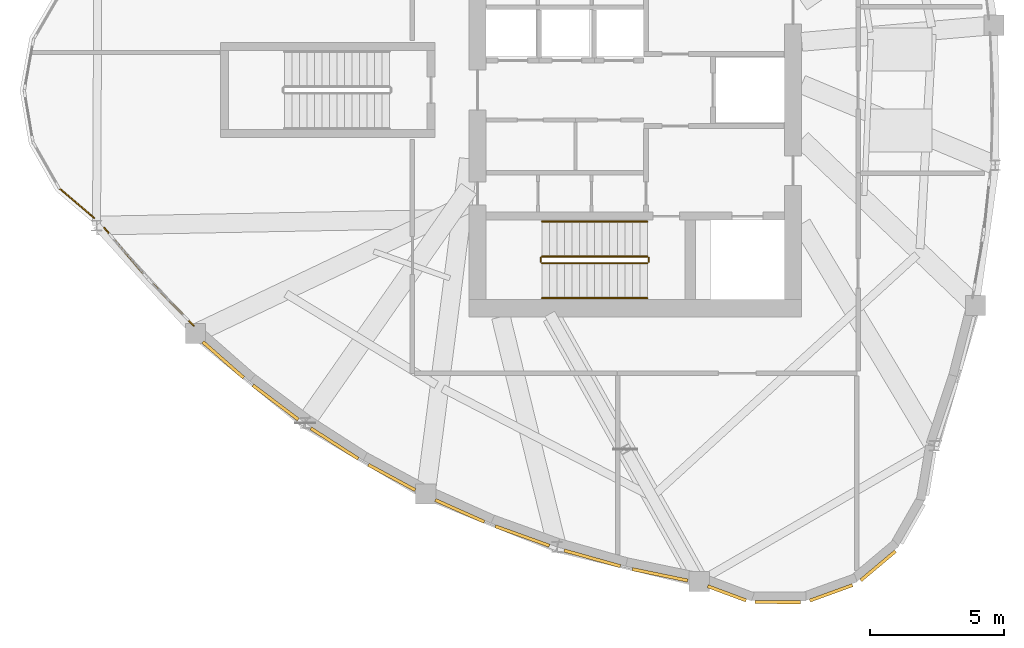
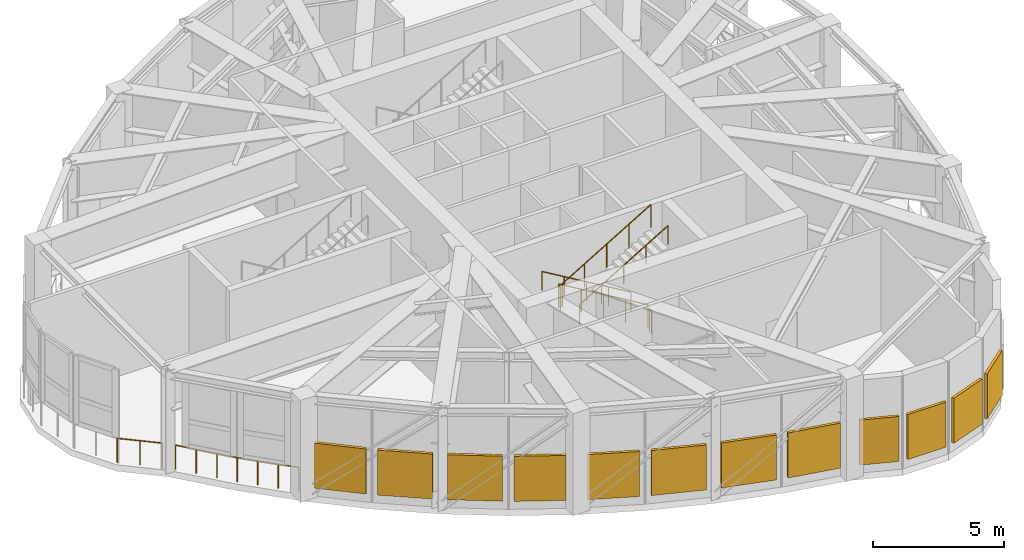
# One storey, part 8 of 10: 12 shading devices, 9 railings.
"""IFC4 building model written with IfcOpenShell, lengths in metres."""

from ifc_helpers import new_model, si_unit, direction, frame, origin, origin_2d, place, context, subcontext, project, spatial, rectangle, circle, extrude, source, transform, mapped, material, layer, layer_set, type_object, element, save


model = new_model("IFC4")

# Units and contexts
model_context = context("Model", 3, precision=1e-05, world=origin(), true_north=direction((0.0, 1.0)))
body_context = subcontext(model_context, "Body", "Model", "MODEL_VIEW")
ifc_project = project(units=[si_unit("LENGTHUNIT", "METRE"), si_unit("AREAUNIT", "SQUARE_METRE"), si_unit("VOLUMEUNIT", "CUBIC_METRE"), si_unit("PLANEANGLEUNIT", "RADIAN"), si_unit("MASSUNIT", "GRAM", prefix="KILO")], contexts=[model_context])

# Site, building, storey
site_placement = place(None, origin())
site = spatial("IfcSite", under=ifc_project, at=site_placement, CompositionType="ELEMENT")
building_placement = place(site_placement, origin())
building = spatial("IfcBuilding", under=site, at=building_placement, Name="Qafzar Sky-Pleat Residences", CompositionType="ELEMENT")
storey_placement = place(building_placement, frame((0.0, 0.0, 190.60009765625)))
storey = spatial("IfcBuildingStorey", under=building, at=storey_placement, Name="L57", CompositionType="ELEMENT", Elevation=190.60009765625)

# Railings
ifc_material_1 = material(Name="Galvanised and bronze-coated Steel S355 guardrail", Category="steel")
railing_type_1 = type_object("IfcRailingType", Name="RAIL-EXT-1150", PredefinedType="GUARDRAIL", material=ifc_material_1)
shared_shape_1 = source(origin(), body_context, "Body", "SweptSolid", [
    extrude(circle(Radius=0.02392578125, at=origin_2d()), frame((0.0, 0.0, 1.1259765625), z_axis=(0.760365090774, -0.649495903553, 0.0), x_axis=(0.649495903553, 0.760365090774, 0.0)), (0.0, 0.0, 1.0), 1.755126953125),
    extrude(circle(Radius=0.02099609375, at=origin_2d()), origin(), (0.0, 0.0, 1.0), 1.101806640625),
    extrude(circle(Radius=0.02099609375, at=origin_2d()), frame((0.667236328125, -0.56982421875, 0.0)), (0.0, 0.0, 1.0), 1.101806640625),
    extrude(circle(Radius=0.02099609375, at=origin_2d()), frame((1.33447265625, -1.139892578125, 0.0)), (0.0, 0.0, 1.0), 1.101806640625),
])
railing_1_placement = place(storey_placement, frame((8.868896484375, 22.37353515625, 0.0)))
element("IfcRailing", 1, at=railing_1_placement, inside=storey, type_object=railing_type_1, Name="L57 Wind-Turbine Slot Edge Guard 6", PredefinedType="GUARDRAIL", context=body_context, shape_type="MappedRepresentation", body=[
    mapped(shared_shape_1, transform((0.0, 0.0, 0.0), x_axis=(1.0, 0.0, 0.0), y_axis=(0.0, 1.0, 0.0), z_axis=(0.0, 0.0, 1.0), scale=1.0)),
])
shared_shape_2 = source(origin(), body_context, "Body", "SweptSolid", [
    extrude(circle(Radius=0.02392578125, at=origin_2d()), frame((0.0, 0.0, 1.1259765625), z_axis=(0.650261484481, -0.759710472352, 0.0), x_axis=(0.759710472352, 0.650261484481, 0.0)), (0.0, 0.0, 1.0), 2.5048828125),
    extrude(circle(Radius=0.02099609375, at=origin_2d()), origin(), (0.0, 0.0, 1.0), 1.101806640625),
    extrude(circle(Radius=0.02099609375, at=origin_2d()), frame((0.54296875, -0.63427734375, 0.0)), (0.0, 0.0, 1.0), 1.101806640625),
    extrude(circle(Radius=0.02099609375, at=origin_2d()), frame((1.0859375, -1.268798828125, 0.0)), (0.0, 0.0, 1.0), 1.101806640625),
    extrude(circle(Radius=0.02099609375, at=origin_2d()), frame((1.62890625, -1.903076171875, 0.0)), (0.0, 0.0, 1.0), 1.101806640625),
])
railing_2_placement = place(storey_placement, frame((10.573486328125, 20.86376953125, 0.0)))
element("IfcRailing", 2, at=railing_2_placement, inside=storey, type_object=railing_type_1, Name="L57 Wind-Turbine Slot Edge Guard 7", PredefinedType="GUARDRAIL", context=body_context, shape_type="MappedRepresentation", body=[
    mapped(shared_shape_2, transform((0.0, 0.0, 0.0), x_axis=(1.0, 0.0, 0.0), y_axis=(0.0, 1.0, 0.0), z_axis=(0.0, 0.0, 1.0), scale=1.0)),
])
shared_shape_3 = source(origin(), body_context, "Body", "SweptSolid", [
    extrude(circle(Radius=0.02392578125, at=origin_2d()), frame((0.0, 0.0, 1.1259765625), z_axis=(0.701548139699, -0.712622065112, 0.0), x_axis=(0.712622065112, 0.701548139699, 0.0)), (0.0, 0.0, 1.0), 2.447265625),
    extrude(circle(Radius=0.02099609375, at=origin_2d()), origin(), (0.0, 0.0, 1.0), 1.101806640625),
    extrude(circle(Radius=0.02099609375, at=origin_2d()), frame((0.572265625, -0.581298828125, 0.0)), (0.0, 0.0, 1.0), 1.101806640625),
    extrude(circle(Radius=0.02099609375, at=origin_2d()), frame((1.14453125, -1.16259765625, 0.0)), (0.0, 0.0, 1.0), 1.101806640625),
    extrude(circle(Radius=0.02099609375, at=origin_2d()), frame((1.716796875, -1.743896484375, 0.0)), (0.0, 0.0, 1.0), 1.101806640625),
])
railing_3_placement = place(storey_placement, frame((12.194580078125, 18.968994140625, 0.0)))
element("IfcRailing", 3, at=railing_3_placement, inside=storey, type_object=railing_type_1, Name="L57 Wind-Turbine Slot Edge Guard 8", PredefinedType="GUARDRAIL", context=body_context, shape_type="MappedRepresentation", body=[
    mapped(shared_shape_3, transform((0.0, 0.0, 0.0), x_axis=(1.0, 0.0, 0.0), y_axis=(0.0, 1.0, 0.0), z_axis=(0.0, 0.0, 1.0), scale=1.0)),
])

# Shading devices
ifc_material_2 = material(Name="Anodised bronze aluminium acoustic louvre", Category="aluminium")
ifc_layer = layer(ifc_material_2, 0.1201171875)
ifc_layer_set = layer_set([ifc_layer], Name="Anodised bronze aluminium acoustic louvre")
shading_device_type = type_object("IfcShadingDeviceType", Name="SHD-LOUVRE-PLANT", PredefinedType="JALOUSIE", material=ifc_layer_set)
shared_shape_4 = source(origin(), body_context, "Body", "SweptSolid", [
    extrude(rectangle(XDim=2.02099609375, YDim=0.1201171875, at=origin_2d()), origin(), (0.0, 0.0, 1.0), 2.10009765625),
])
shading_device_1_placement = place(storey_placement, frame((15.009033203125, 15.95068359375, 0.449951171875), z_axis=(0.0, 0.0, 1.0), x_axis=(0.751091134086, -0.66019853703, 0.0)))
element("IfcShadingDevice", 4, at=shading_device_1_placement, inside=storey, type_object=shading_device_type, Name="L57 Plant Acoustic Louvre 9", PredefinedType="JALOUSIE", context=body_context, shape_type="MappedRepresentation", body=[
    mapped(shared_shape_4, transform((0.0, 0.0, 0.0), x_axis=(1.0, 0.0, 0.0), y_axis=(0.0, 1.0, 0.0), z_axis=(0.0, 0.0, 1.0), scale=1.0)),
])
shared_shape_5 = source(origin(), body_context, "Body", "SweptSolid", [
    extrude(rectangle(XDim=2.113037109375, YDim=0.1201171875, at=origin_2d()), origin(), (0.0, 0.0, 1.0), 2.10009765625),
])
shading_device_2_placement = place(storey_placement, frame((16.955810546875, 14.3662109375, 0.449951171875), z_axis=(0.0, 0.0, 1.0), x_axis=(0.797987489772, -0.602674013184, 0.0)))
element("IfcShadingDevice", 5, at=shading_device_2_placement, inside=storey, type_object=shading_device_type, Name="L57 Plant Acoustic Louvre 10", PredefinedType="JALOUSIE", context=body_context, shape_type="MappedRepresentation", body=[
    mapped(shared_shape_5, transform((0.0, 0.0, 0.0), x_axis=(1.0, 0.0, 0.0), y_axis=(0.0, 1.0, 0.0), z_axis=(0.0, 0.0, 1.0), scale=1.0)),
])
shared_shape_6 = source(origin(), body_context, "Body", "SweptSolid", [
    extrude(rectangle(XDim=2.10107421875, YDim=0.1201171875, at=origin_2d()), origin(), (0.0, 0.0, 1.0), 2.10009765625),
])
shading_device_3_placement = place(storey_placement, frame((19.150390625, 12.8349609375, 0.449951171875), z_axis=(0.0, 0.0, 1.0), x_axis=(0.841189609029, -0.540740271907, 0.0)))
element("IfcShadingDevice", 6, at=shading_device_3_placement, inside=storey, type_object=shading_device_type, Name="L57 Plant Acoustic Louvre 11", PredefinedType="JALOUSIE", context=body_context, shape_type="MappedRepresentation", body=[
    mapped(shared_shape_6, transform((0.0, 0.0, 0.0), x_axis=(1.0, 0.0, 0.0), y_axis=(0.0, 1.0, 0.0), z_axis=(0.0, 0.0, 1.0), scale=1.0)),
])
shared_shape_7 = source(origin(), body_context, "Body", "SweptSolid", [
    extrude(rectangle(XDim=1.985107421875, YDim=0.1201171875, at=origin_2d()), origin(), (0.0, 0.0, 1.0), 2.10009765625),
])
shading_device_4_placement = place(storey_placement, frame((21.284912109375, 11.571533203125, 0.449951171875), z_axis=(0.0, 0.0, 1.0), x_axis=(0.879816754532, -0.475313032058, 0.0)))
element("IfcShadingDevice", 7, at=shading_device_4_placement, inside=storey, type_object=shading_device_type, Name="L57 Plant Acoustic Louvre 12", PredefinedType="JALOUSIE", context=body_context, shape_type="MappedRepresentation", body=[
    mapped(shared_shape_7, transform((0.0, 0.0, 0.0), x_axis=(1.0, 0.0, 0.0), y_axis=(0.0, 1.0, 0.0), z_axis=(0.0, 0.0, 1.0), scale=1.0)),
])
shared_shape_8 = source(origin(), body_context, "Body", "SweptSolid", [
    extrude(rectangle(XDim=1.9970703125, YDim=0.1201171875, at=origin_2d()), origin(), (0.0, 0.0, 1.0), 2.10009765625),
])
shading_device_5_placement = place(storey_placement, frame((23.81591796875, 10.32568359375, 0.449951171875), z_axis=(0.0, 0.0, 1.0), x_axis=(0.913164507785, -0.407591194363, 0.0)))
element("IfcShadingDevice", 8, at=shading_device_5_placement, inside=storey, type_object=shading_device_type, Name="L57 Plant Acoustic Louvre 13", PredefinedType="JALOUSIE", context=body_context, shape_type="MappedRepresentation", body=[
    mapped(shared_shape_8, transform((0.0, 0.0, 0.0), x_axis=(1.0, 0.0, 0.0), y_axis=(0.0, 1.0, 0.0), z_axis=(0.0, 0.0, 1.0), scale=1.0)),
])
shared_shape_9 = source(origin(), body_context, "Body", "SweptSolid", [
    extrude(rectangle(XDim=2.13671875, YDim=0.1201171875, at=origin_2d()), origin(), (0.0, 0.0, 1.0), 2.10009765625),
])
shading_device_6_placement = place(storey_placement, frame((26.1455078125, 9.391357421875, 0.449951171875), z_axis=(0.0, 0.0, 1.0), x_axis=(0.940881684734, -0.338735376559, 0.0)))
element("IfcShadingDevice", 9, at=shading_device_6_placement, inside=storey, type_object=shading_device_type, Name="L57 Plant Acoustic Louvre 14", PredefinedType="JALOUSIE", context=body_context, shape_type="MappedRepresentation", body=[
    mapped(shared_shape_9, transform((0.0, 0.0, 0.0), x_axis=(1.0, 0.0, 0.0), y_axis=(0.0, 1.0, 0.0), z_axis=(0.0, 0.0, 1.0), scale=1.0)),
])
shared_shape_10 = source(origin(), body_context, "Body", "SweptSolid", [
    extrude(rectangle(XDim=2.172119140625, YDim=0.1201171875, at=origin_2d()), origin(), (0.0, 0.0, 1.0), 2.10009765625),
])
shading_device_7_placement = place(storey_placement, frame((28.751220703125, 8.55908203125, 0.449951171875), z_axis=(0.0, 0.0, 1.0), x_axis=(0.962871397337, -0.269960501167, 0.0)))
element("IfcShadingDevice", 10, at=shading_device_7_placement, inside=storey, type_object=shading_device_type, Name="L57 Plant Acoustic Louvre 15", PredefinedType="JALOUSIE", context=body_context, shape_type="MappedRepresentation", body=[
    mapped(shared_shape_10, transform((0.0, 0.0, 0.0), x_axis=(1.0, 0.0, 0.0), y_axis=(0.0, 1.0, 0.0), z_axis=(0.0, 0.0, 1.0), scale=1.0)),
])
shared_shape_11 = source(origin(), body_context, "Body", "SweptSolid", [
    extrude(rectangle(XDim=2.10205078125, YDim=0.1201171875, at=origin_2d()), origin(), (0.0, 0.0, 1.0), 2.10009765625),
])
shading_device_8_placement = place(storey_placement, frame((31.27490234375, 7.94384765625, 0.449951171875), z_axis=(0.0, 0.0, 1.0), x_axis=(0.979304659548, -0.202391659384, 0.0)))
element("IfcShadingDevice", 11, at=shading_device_8_placement, inside=storey, type_object=shading_device_type, Name="L57 Plant Acoustic Louvre 16", PredefinedType="JALOUSIE", context=body_context, shape_type="MappedRepresentation", body=[
    mapped(shared_shape_11, transform((0.0, 0.0, 0.0), x_axis=(1.0, 0.0, 0.0), y_axis=(0.0, 1.0, 0.0), z_axis=(0.0, 0.0, 1.0), scale=1.0)),
])
shared_shape_12 = source(origin(), body_context, "Body", "SweptSolid", [
    extrude(rectangle(XDim=1.524658203125, YDim=0.1201171875, at=origin_2d()), origin(), (0.0, 0.0, 1.0), 2.10009765625),
])
shading_device_9_placement = place(storey_placement, frame((33.76220703125, 7.256103515625, 0.449951171875), z_axis=(0.0, 0.0, 1.0), x_axis=(0.936897206256, -0.349604955499, 0.0)))
element("IfcShadingDevice", 12, at=shading_device_9_placement, inside=storey, type_object=shading_device_type, Name="L57 Plant Acoustic Louvre 17", PredefinedType="JALOUSIE", context=body_context, shape_type="MappedRepresentation", body=[
    mapped(shared_shape_12, transform((0.0, 0.0, 0.0), x_axis=(1.0, 0.0, 0.0), y_axis=(0.0, 1.0, 0.0), z_axis=(0.0, 0.0, 1.0), scale=1.0)),
])
shared_shape_13 = source(origin(), body_context, "Body", "SweptSolid", [
    extrude(rectangle(XDim=1.68701171875, YDim=0.1201171875, at=origin_2d()), origin(), (0.0, 0.0, 1.0), 2.10009765625),
])
for number, where, z_axis, x_axis, name in (
    (13, (35.65478515625, 6.927734375, 0.449951171875), (0.0, 0.0, 1.0), (0.999988072048, -0.004884236129, 0.0), "L57 Plant Acoustic Louvre 18"),
    (14, (37.64599609375, 7.272216796875, 0.449951171875), (0.0, 0.0, 1.0), (0.940231559433, 0.340535775867, 0.0), "L57 Plant Acoustic Louvre 19"),
    (15, (39.395751953125, 8.282470703125, 0.449951171875), (0.0, 0.0, 1.0), (0.764997266407, 0.644033525827, 0.0), "L57 Plant Acoustic Louvre 20"),
):
    element("IfcShadingDevice", number, at=place(storey_placement, frame(where, z_axis=z_axis, x_axis=x_axis)), inside=storey, type_object=shading_device_type, Name=name, PredefinedType="JALOUSIE", context=body_context, shape_type="MappedRepresentation", body=[
        mapped(shared_shape_13, transform((0.0, 0.0, 0.0), x_axis=(1.0, 0.0, 0.0), y_axis=(0.0, 1.0, 0.0), z_axis=(0.0, 0.0, 1.0), scale=1.0)),
    ])

# Railings
ifc_material_3 = material(Name="Painted Steel S355 stair guardrail", Category="steel")
railing_type_2 = type_object("IfcRailingType", Name="RAIL-STAIR-GUARD", PredefinedType="GUARDRAIL", material=ifc_material_3)
shared_shape_14 = source(origin(), body_context, "Body", "SweptSolid", [
    extrude(circle(Radius=0.02392578125, at=origin_2d()), frame((0.0, 0.0, 1.076171875), z_axis=(0.0, -1.0, 0.0), x_axis=(1.0, 0.0, 0.0)), (0.0, 0.0, 1.0), 0.14990234375),
    extrude(circle(Radius=0.02099609375, at=origin_2d()), origin(), (0.0, 0.0, 1.0), 1.052001953125),
    extrude(circle(Radius=0.02099609375, at=origin_2d()), frame((0.0, -0.14990234375, 0.0)), (0.0, 0.0, 1.0), 1.052001953125),
])
for number, where, name in (
    (16, (26.830078125, 19.75, 2.5), "L57 ST1 stair guard 2"),
    (17, (30.85009765625, 19.75, 0.0), "L57 ST1 stair guard 4"),
):
    element("IfcRailing", number, at=place(storey_placement, frame(where)), inside=storey, type_object=railing_type_2, Name=name, PredefinedType="GUARDRAIL", context=body_context, shape_type="MappedRepresentation", body=[
        mapped(shared_shape_14, transform((0.0, 0.0, 0.0), x_axis=(1.0, 0.0, 0.0), y_axis=(0.0, 1.0, 0.0), z_axis=(0.0, 0.0, 1.0), scale=1.0)),
    ])
shared_shape_15 = source(origin(), body_context, "Body", "SweptSolid", [
    extrude(circle(Radius=0.02392578125, at=origin_2d()), frame((0.0, 0.0, 1.076171875), z_axis=(-0.859286724212, 0.0, 0.511494208758), x_axis=(0.0, -1.0, 0.0)), (0.0, 0.0, 1.0), 4.56201171875),
    extrude(circle(Radius=0.02099609375, at=origin_2d()), origin(), (0.0, 0.0, 1.0), 1.052001953125),
    extrude(circle(Radius=0.02099609375, at=origin_2d()), frame((-0.97998046875, 0.0, 0.58349609375)), (0.0, 0.0, 1.0), 1.052001953125),
    extrude(circle(Radius=0.02099609375, at=origin_2d()), frame((-1.9599609375, 0.0, 1.166748046875)), (0.0, 0.0, 1.0), 1.052001953125),
    extrude(circle(Radius=0.02099609375, at=origin_2d()), frame((-2.940185546875, 0.0, 1.75)), (0.0, 0.0, 1.0), 1.052001953125),
    extrude(circle(Radius=0.02099609375, at=origin_2d()), frame((-3.920166015625, 0.0, 2.33349609375)), (0.0, 0.0, 1.0), 1.052001953125),
])
railing_4_placement = place(storey_placement, frame((30.800048828125, 19.800048828125, 0.16650390625)))
element("IfcRailing", 18, at=railing_4_placement, inside=storey, type_object=railing_type_2, Name="L57 ST1 stair guard 1", PredefinedType="GUARDRAIL", context=body_context, shape_type="MappedRepresentation", body=[
    mapped(shared_shape_15, transform((0.0, 0.0, 0.0), x_axis=(1.0, 0.0, 0.0), y_axis=(0.0, 1.0, 0.0), z_axis=(0.0, 0.0, 1.0), scale=1.0)),
])
shared_shape_16 = source(origin(), body_context, "Body", "SweptSolid", [
    extrude(circle(Radius=0.02392578125, at=origin_2d()), frame((0.0, 0.0, 1.076171875), z_axis=(0.859286724212, 0.0, 0.511494208758), x_axis=(0.0, 1.0, 0.0)), (0.0, 0.0, 1.0), 4.56201171875),
    extrude(circle(Radius=0.02099609375, at=origin_2d()), origin(), (0.0, 0.0, 1.0), 1.052001953125),
    extrude(circle(Radius=0.02099609375, at=origin_2d()), frame((0.97998046875, 0.0, 0.58349609375)), (0.0, 0.0, 1.0), 1.052001953125),
    extrude(circle(Radius=0.02099609375, at=origin_2d()), frame((1.9599609375, 0.0, 1.166748046875)), (0.0, 0.0, 1.0), 1.052001953125),
    extrude(circle(Radius=0.02099609375, at=origin_2d()), frame((2.940185546875, 0.0, 1.75)), (0.0, 0.0, 1.0), 1.052001953125),
    extrude(circle(Radius=0.02099609375, at=origin_2d()), frame((3.920166015625, 0.0, 2.33349609375)), (0.0, 0.0, 1.0), 1.052001953125),
])
railing_5_placement = place(storey_placement, frame((26.8798828125, 19.550048828125, 2.66650390625)))
element("IfcRailing", 19, at=railing_5_placement, inside=storey, type_object=railing_type_2, Name="L57 ST1 stair guard 3", PredefinedType="GUARDRAIL", context=body_context, shape_type="MappedRepresentation", body=[
    mapped(shared_shape_16, transform((0.0, 0.0, 0.0), x_axis=(1.0, 0.0, 0.0), y_axis=(0.0, 1.0, 0.0), z_axis=(0.0, 0.0, 1.0), scale=1.0)),
])
ifc_material_4 = material(Name="Brushed stainless steel handrail", Category="steel")
railing_type_3 = type_object("IfcRailingType", Name="RAIL-STAIR-HAND", PredefinedType="HANDRAIL", material=ifc_material_4)
shared_shape_17 = source(origin(), body_context, "Body", "SweptSolid", [
    extrude(circle(Radius=0.02392578125, at=origin_2d()), frame((0.0, 0.0, 0.8759765625), z_axis=(-0.859286724212, 0.0, 0.511494208758), x_axis=(0.0, -1.0, 0.0)), (0.0, 0.0, 1.0), 4.56201171875),
    extrude(circle(Radius=0.02099609375, at=origin_2d()), origin(), (0.0, 0.0, 1.0), 0.851806640625),
    extrude(circle(Radius=0.02099609375, at=origin_2d()), frame((-0.97998046875, 0.0, 0.58349609375)), (0.0, 0.0, 1.0), 0.851806640625),
    extrude(circle(Radius=0.02099609375, at=origin_2d()), frame((-1.9599609375, 0.0, 1.166748046875)), (0.0, 0.0, 1.0), 0.851806640625),
    extrude(circle(Radius=0.02099609375, at=origin_2d()), frame((-2.940185546875, 0.0, 1.75)), (0.0, 0.0, 1.0), 0.851806640625),
    extrude(circle(Radius=0.02099609375, at=origin_2d()), frame((-3.920166015625, 0.0, 2.33349609375)), (0.0, 0.0, 1.0), 0.851806640625),
])
railing_6_placement = place(storey_placement, frame((30.800048828125, 21.10009765625, 0.16650390625)))
element("IfcRailing", 20, at=railing_6_placement, inside=storey, type_object=railing_type_3, Name="L57 ST1 stair handrail 1", PredefinedType="HANDRAIL", context=body_context, shape_type="MappedRepresentation", body=[
    mapped(shared_shape_17, transform((0.0, 0.0, 0.0), x_axis=(1.0, 0.0, 0.0), y_axis=(0.0, 1.0, 0.0), z_axis=(0.0, 0.0, 1.0), scale=1.0)),
])
shared_shape_18 = source(origin(), body_context, "Body", "SweptSolid", [
    extrude(circle(Radius=0.02392578125, at=origin_2d()), frame((0.0, 0.0, 0.8759765625), z_axis=(0.859286724212, 0.0, 0.511494208758), x_axis=(0.0, 1.0, 0.0)), (0.0, 0.0, 1.0), 4.56201171875),
    extrude(circle(Radius=0.02099609375, at=origin_2d()), origin(), (0.0, 0.0, 1.0), 0.851806640625),
    extrude(circle(Radius=0.02099609375, at=origin_2d()), frame((0.97998046875, 0.0, 0.58349609375)), (0.0, 0.0, 1.0), 0.851806640625),
    extrude(circle(Radius=0.02099609375, at=origin_2d()), frame((1.9599609375, 0.0, 1.166748046875)), (0.0, 0.0, 1.0), 0.851806640625),
    extrude(circle(Radius=0.02099609375, at=origin_2d()), frame((2.940185546875, 0.0, 1.75)), (0.0, 0.0, 1.0), 0.851806640625),
    extrude(circle(Radius=0.02099609375, at=origin_2d()), frame((3.920166015625, 0.0, 2.33349609375)), (0.0, 0.0, 1.0), 0.851806640625),
])
railing_7_placement = place(storey_placement, frame((26.8798828125, 18.25, 2.66650390625)))
element("IfcRailing", 21, at=railing_7_placement, inside=storey, type_object=railing_type_3, Name="L57 ST1 stair handrail 2", PredefinedType="HANDRAIL", context=body_context, shape_type="MappedRepresentation", body=[
    mapped(shared_shape_18, transform((0.0, 0.0, 0.0), x_axis=(1.0, 0.0, 0.0), y_axis=(0.0, 1.0, 0.0), z_axis=(0.0, 0.0, 1.0), scale=1.0)),
])

save(model, "model.ifc")
